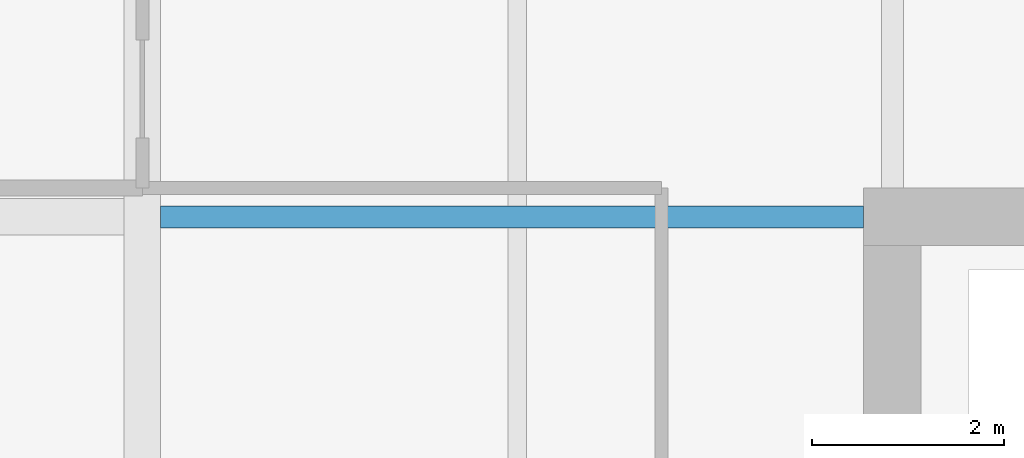
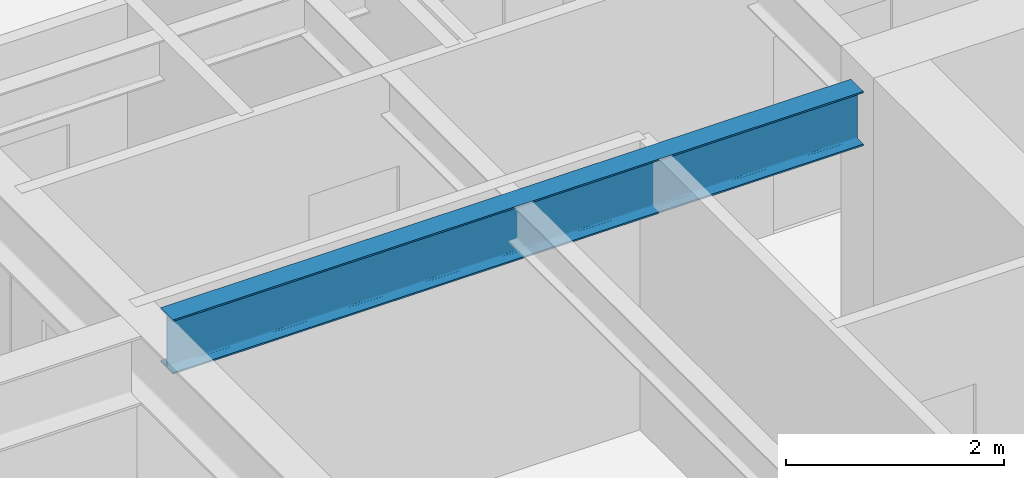
# One storey, part 17 of 34: 1 beam.
"""IFC4 building model written with IfcOpenShell, lengths in metres."""

from ifc_helpers import new_model, si_unit, direction, frame, origin, origin_2d, place, context, subcontext, project, spatial, i_section, extrude, material, material_profile, profile_set, type_object, element, save


model = new_model("IFC4")

# Units and contexts
model_context = context("Model", 3, precision=1e-05, world=origin(), true_north=direction((0.0, 1.0)))
body_context = subcontext(model_context, "Body", "Model", "MODEL_VIEW")
ifc_project = project(units=[si_unit("LENGTHUNIT", "METRE"), si_unit("AREAUNIT", "SQUARE_METRE"), si_unit("VOLUMEUNIT", "CUBIC_METRE"), si_unit("PLANEANGLEUNIT", "RADIAN"), si_unit("MASSUNIT", "GRAM", prefix="KILO")], contexts=[model_context])

# Site, building, storey
site_placement = place(None, origin())
site = spatial("IfcSite", under=ifc_project, at=site_placement, CompositionType="ELEMENT")
building_placement = place(site_placement, origin())
building = spatial("IfcBuilding", under=site, at=building_placement, Name="Drelvath Grand Hotel", CompositionType="ELEMENT")
storey_placement = place(building_placement, frame((0.0, 0.0, 91.800048828125)))
storey = spatial("IfcBuildingStorey", under=building, at=storey_placement, Name="L22", CompositionType="ELEMENT", Elevation=91.800048828125)

# Beam
ifc_material = material(Name="Steel ASTM A992 Gr 50", Category="steel")
ifc_material_profile = material_profile(ifc_material, i_section(OverallWidth=0.228271484375, OverallDepth=0.607666015625, WebThickness=0.01123046875, FlangeThickness=0.017333984375, FilletRadius=0.02001953125, at=origin_2d()), Name="W24X76")
ifc_profile_set = profile_set([ifc_material_profile], Name="Steel ASTM A992 Gr 50")
beam_type = type_object("IfcBeamType", Name="Primary Floor Girder W24X76", PredefinedType="BEAM", material=ifc_profile_set)
beam_placement = place(storey_placement, frame((-16.009765625, 35.39990234375, 2.93603515625), z_axis=(1.0, 0.0, 0.0), x_axis=(0.0, 1.0, 0.0)))
element("IfcBeam", 1, at=beam_placement, inside=storey, type_object=beam_type, Name="L22 West Core Tie F", PredefinedType="BEAM", context=body_context, shape_type="SweptSolid", body=[
    extrude(i_section(OverallWidth=0.228271484375, OverallDepth=0.607666015625, WebThickness=0.01123046875, FlangeThickness=0.017333984375, FilletRadius=0.02001953125, at=origin_2d()), origin(), (0.0, 0.0, 1.0), 7.309814453125),
])

save(model, "model.ifc")
